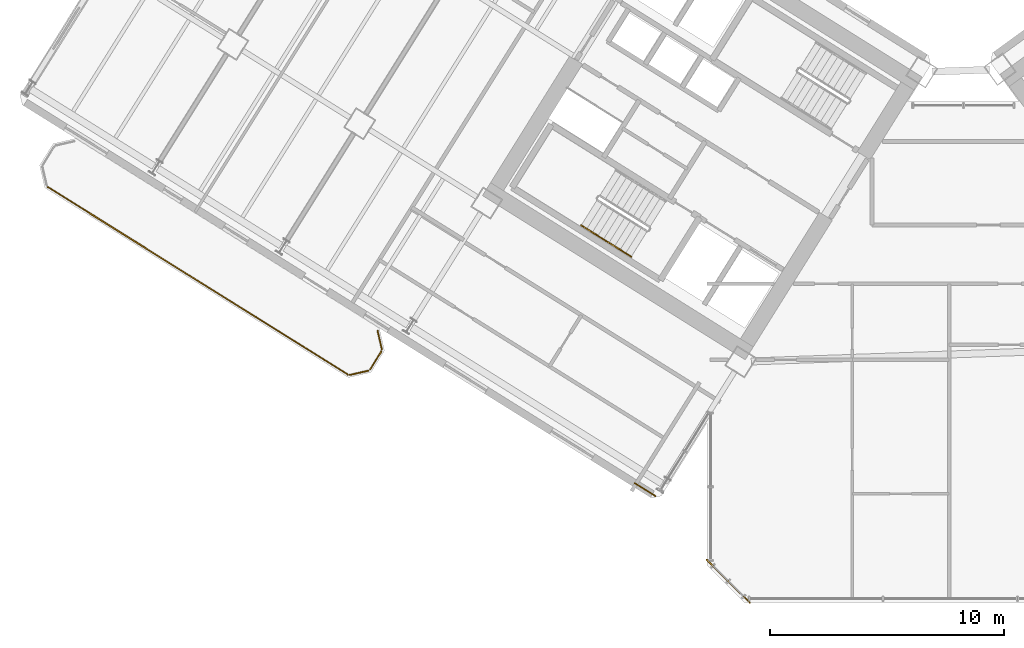
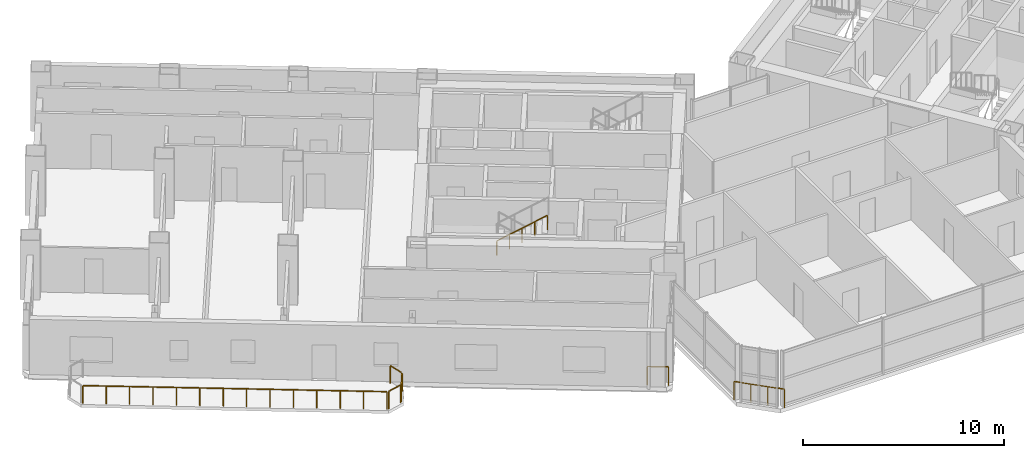
# One storey, part 21 of 24: 8 railings.
"""IFC4 building model written with IfcOpenShell, lengths in metres."""

from ifc_helpers import new_model, si_unit, direction, frame, origin, origin_2d, place, context, subcontext, project, spatial, rectangle, extrude, source, transform, mapped, material, type_object, element, save


model = new_model("IFC4")

# Units and contexts
model_context = context("Model", 3, precision=1e-05, world=origin(), true_north=direction((0.0, 1.0)))
body_context = subcontext(model_context, "Body", "Model", "MODEL_VIEW")
ifc_project = project(units=[si_unit("LENGTHUNIT", "METRE"), si_unit("AREAUNIT", "SQUARE_METRE"), si_unit("VOLUMEUNIT", "CUBIC_METRE"), si_unit("PLANEANGLEUNIT", "RADIAN"), si_unit("MASSUNIT", "GRAM", prefix="KILO")], contexts=[model_context])

# Site, building, storey
site_placement = place(None, origin())
site = spatial("IfcSite", under=ifc_project, at=site_placement, CompositionType="ELEMENT")
building_placement = place(site_placement, origin())
building = spatial("IfcBuilding", under=site, at=building_placement, Name="Tlacorven Tower", CompositionType="ELEMENT")
storey_placement = place(building_placement, frame((0.0, 0.0, 38.39990234375)))
storey = spatial("IfcBuildingStorey", under=building, at=storey_placement, Name="L09", CompositionType="ELEMENT", Elevation=38.39990234375)

# Railings
ifc_material = material(Name="Aluminium and painted steel balustrade", Category="steel")
railing_type_1 = type_object("IfcRailingType", Name="RL-BAL-1100", PredefinedType="BALUSTRADE", material=ifc_material)
shared_shape_1 = source(origin(), body_context, "Body", "SweptSolid", [
    extrude(rectangle(XDim=0.048095703125, YDim=0.048095703125, at=origin_2d()), frame((0.0, 0.0, 1.076171875), z_axis=(0.225058334816, -0.974345290916, 0.0), x_axis=(0.974345290916, 0.225058334816, 0.0)), (0.0, 0.0, 1.0), 0.80712890625),
    extrude(rectangle(XDim=0.0419921875, YDim=0.0419921875, at=origin_2d()), origin(), (0.0, 0.0, 1.0), 1.052001953125),
    extrude(rectangle(XDim=0.0419921875, YDim=0.0419921875, at=origin_2d()), frame((0.181640625, -0.786376953125, 0.0)), (0.0, 0.0, 1.0), 1.052001953125),
])
railing_1_placement = place(storey_placement, frame((17.5244140625, 13.413330078125, 0.0)))
element("IfcRailing", 1, at=railing_1_placement, inside=storey, type_object=railing_type_1, Name="BAL-L09-W-OUT Guard Railing 1", PredefinedType="BALUSTRADE", context=body_context, shape_type="MappedRepresentation", body=[
    mapped(shared_shape_1, transform((0.0, 0.0, 0.0), scale=1.0)),
])
shared_shape_2 = source(origin(), body_context, "Body", "SweptSolid", [
    extrude(rectangle(XDim=0.048095703125, YDim=0.048095703125, at=origin_2d()), frame((0.0, 0.0, 1.076171875), z_axis=(-0.52987865805, -0.848073468364, 0.0), x_axis=(0.848073468364, -0.52987865805, 0.0)), (0.0, 0.0, 1.0), 0.912353515625),
    extrude(rectangle(XDim=0.0419921875, YDim=0.0419921875, at=origin_2d()), origin(), (0.0, 0.0, 1.0), 1.052001953125),
    extrude(rectangle(XDim=0.0419921875, YDim=0.0419921875, at=origin_2d()), frame((-0.4833984375, -0.773681640625, 0.0)), (0.0, 0.0, 1.0), 1.052001953125),
])
railing_2_placement = place(storey_placement, frame((17.690673828125, 12.535888671875, 0.0)))
element("IfcRailing", 2, at=railing_2_placement, inside=storey, type_object=railing_type_1, Name="BAL-L09-W-OUT Guard Railing 2", PredefinedType="BALUSTRADE", context=body_context, shape_type="MappedRepresentation", body=[
    mapped(shared_shape_2, transform((0.0, 0.0, 0.0), scale=1.0)),
])
shared_shape_3 = source(origin(), body_context, "Body", "SweptSolid", [
    extrude(rectangle(XDim=0.048095703125, YDim=0.048095703125, at=origin_2d()), frame((0.0, 0.0, 1.076171875), z_axis=(-0.974411586182, -0.224771129628, 0.0), x_axis=(0.224771129628, -0.974411586182, 0.0)), (0.0, 0.0, 1.0), 0.80712890625),
    extrude(rectangle(XDim=0.0419921875, YDim=0.0419921875, at=origin_2d()), origin(), (0.0, 0.0, 1.0), 1.052001953125),
    extrude(rectangle(XDim=0.0419921875, YDim=0.0419921875, at=origin_2d()), frame((-0.786376953125, -0.181396484375, 0.0)), (0.0, 0.0, 1.0), 1.052001953125),
])
railing_3_placement = place(storey_placement, frame((17.132080078125, 11.70849609375, 0.0)))
element("IfcRailing", 3, at=railing_3_placement, inside=storey, type_object=railing_type_1, Name="BAL-L09-W-OUT Guard Railing 3", PredefinedType="BALUSTRADE", context=body_context, shape_type="MappedRepresentation", body=[
    mapped(shared_shape_3, transform((0.0, 0.0, 0.0), scale=1.0)),
])
shared_shape_4 = source(origin(), body_context, "Body", "SweptSolid", [
    extrude(rectangle(XDim=0.048095703125, YDim=0.048095703125, at=origin_2d()), frame((0.0, 0.0, 1.076171875), z_axis=(-0.848044572804, 0.529924902733, 0.0), x_axis=(-0.529924902733, -0.848044572804, 0.0)), (0.0, 0.0, 1.0), 15.1171875),
    extrude(rectangle(XDim=0.0419921875, YDim=0.0419921875, at=origin_2d()), origin(), (0.0, 0.0, 1.0), 1.052001953125),
    extrude(rectangle(XDim=0.0419921875, YDim=0.0419921875, at=origin_2d()), frame((-0.986083984375, 0.6162109375, 0.0)), (0.0, 0.0, 1.0), 1.052001953125),
    extrude(rectangle(XDim=0.0419921875, YDim=0.0419921875, at=origin_2d()), frame((-1.972412109375, 1.232421875, 0.0)), (0.0, 0.0, 1.0), 1.052001953125),
    extrude(rectangle(XDim=0.0419921875, YDim=0.0419921875, at=origin_2d()), frame((-2.95849609375, 1.8486328125, 0.0)), (0.0, 0.0, 1.0), 1.052001953125),
    extrude(rectangle(XDim=0.0419921875, YDim=0.0419921875, at=origin_2d()), frame((-3.944580078125, 2.46484375, 0.0)), (0.0, 0.0, 1.0), 1.052001953125),
    extrude(rectangle(XDim=0.0419921875, YDim=0.0419921875, at=origin_2d()), frame((-4.930908203125, 3.0810546875, 0.0)), (0.0, 0.0, 1.0), 1.052001953125),
    extrude(rectangle(XDim=0.0419921875, YDim=0.0419921875, at=origin_2d()), frame((-5.9169921875, 3.697265625, 0.0)), (0.0, 0.0, 1.0), 1.052001953125),
    extrude(rectangle(XDim=0.0419921875, YDim=0.0419921875, at=origin_2d()), frame((-6.903076171875, 4.313720703125, 0.0)), (0.0, 0.0, 1.0), 1.052001953125),
    extrude(rectangle(XDim=0.0419921875, YDim=0.0419921875, at=origin_2d()), frame((-7.88916015625, 4.929931640625, 0.0)), (0.0, 0.0, 1.0), 1.052001953125),
    extrude(rectangle(XDim=0.0419921875, YDim=0.0419921875, at=origin_2d()), frame((-8.87548828125, 5.546142578125, 0.0)), (0.0, 0.0, 1.0), 1.052001953125),
    extrude(rectangle(XDim=0.0419921875, YDim=0.0419921875, at=origin_2d()), frame((-9.861572265625, 6.162353515625, 0.0)), (0.0, 0.0, 1.0), 1.052001953125),
    extrude(rectangle(XDim=0.0419921875, YDim=0.0419921875, at=origin_2d()), frame((-10.84765625, 6.778564453125, 0.0)), (0.0, 0.0, 1.0), 1.052001953125),
    extrude(rectangle(XDim=0.0419921875, YDim=0.0419921875, at=origin_2d()), frame((-11.833984375, 7.394775390625, 0.0)), (0.0, 0.0, 1.0), 1.052001953125),
    extrude(rectangle(XDim=0.0419921875, YDim=0.0419921875, at=origin_2d()), frame((-12.820068359375, 8.010986328125, 0.0)), (0.0, 0.0, 1.0), 1.052001953125),
])
railing_4_placement = place(storey_placement, frame((16.254638671875, 11.542236328125, 0.0)))
element("IfcRailing", 4, at=railing_4_placement, inside=storey, type_object=railing_type_1, Name="BAL-L09-W-OUT Guard Railing 4", PredefinedType="BALUSTRADE", context=body_context, shape_type="MappedRepresentation", body=[
    mapped(shared_shape_4, transform((0.0, 0.0, 0.0), scale=1.0)),
])
railing_type_2 = type_object("IfcRailingType", Name="RL-GRD-1150", PredefinedType="GUARDRAIL", material=ifc_material)
shared_shape_5 = source(origin(), body_context, "Body", "SweptSolid", [
    extrude(rectangle(XDim=0.048095703125, YDim=0.048095703125, at=origin_2d()), frame((0.0, 0.0, 1.1259765625), z_axis=(-0.707106781187, 0.707106781187, 0.0), x_axis=(-0.707106781187, -0.707106781187, 0.0)), (0.0, 0.0, 1.0), 2.590087890625),
    extrude(rectangle(XDim=0.0419921875, YDim=0.0419921875, at=origin_2d()), origin(), (0.0, 0.0, 1.0), 1.101806640625),
    extrude(rectangle(XDim=0.0419921875, YDim=0.0419921875, at=origin_2d()), frame((-0.610595703125, 0.610595703125, 0.0)), (0.0, 0.0, 1.0), 1.101806640625),
    extrude(rectangle(XDim=0.0419921875, YDim=0.0419921875, at=origin_2d()), frame((-1.220947265625, 1.220947265625, 0.0)), (0.0, 0.0, 1.0), 1.101806640625),
    extrude(rectangle(XDim=0.0419921875, YDim=0.0419921875, at=origin_2d()), frame((-1.83154296875, 1.83154296875, 0.0)), (0.0, 0.0, 1.0), 1.101806640625),
])
railing_5_placement = place(storey_placement, frame((33.428955078125, 1.79736328125, 0.0)))
element("IfcRailing", 5, at=railing_5_placement, inside=storey, type_object=railing_type_2, Name="L09 Knuckle Glazed Sill Guard 1", PredefinedType="GUARDRAIL", context=body_context, shape_type="MappedRepresentation", body=[
    mapped(shared_shape_5, transform((0.0, 0.0, 0.0), scale=1.0)),
])
shared_shape_6 = source(origin(), body_context, "Body", "SweptSolid", [
    extrude(rectangle(XDim=0.048095703125, YDim=0.048095703125, at=origin_2d()), frame((0.0, 0.0, 1.1259765625), z_axis=(-0.848102774857, 0.529831749973, 0.0), x_axis=(-0.529831749973, -0.848102774857, 0.0)), (0.0, 0.0, 1.0), 1.050048828125),
    extrude(rectangle(XDim=0.0419921875, YDim=0.0419921875, at=origin_2d()), origin(), (0.0, 0.0, 1.0), 1.101806640625),
    extrude(rectangle(XDim=0.0419921875, YDim=0.0419921875, at=origin_2d()), frame((-0.890625, 0.556396484375, 0.0)), (0.0, 0.0, 1.0), 1.101806640625),
])
railing_6_placement = place(storey_placement, frame((29.39501953125, 6.35009765625, 0.0)))
element("IfcRailing", 6, at=railing_6_placement, inside=storey, type_object=railing_type_2, Name="L09 Knuckle Glazed Sill Guard 2", PredefinedType="GUARDRAIL", context=body_context, shape_type="MappedRepresentation", body=[
    mapped(shared_shape_6, transform((0.0, 0.0, 0.0), scale=1.0)),
])
railing_type_3 = type_object("IfcRailingType", Name="RL-HND-0900", PredefinedType="HANDRAIL", material=ifc_material)
shared_shape_7 = source(origin(), body_context, "Body", "SweptSolid", [
    extrude(rectangle(XDim=0.048095703125, YDim=0.048095703125, at=origin_2d()), frame((0.0, 0.0, 0.8759765625), z_axis=(0.713359751793, -0.4457479829, 0.540764828981), x_axis=(0.529911857636, 0.848052724267, 0.0)), (0.0, 0.0, 1.0), 1.498046875),
    extrude(rectangle(XDim=0.0419921875, YDim=0.0419921875, at=origin_2d()), origin(), (0.0, 0.0, 1.0), 0.851806640625),
    extrude(rectangle(XDim=0.0419921875, YDim=0.0419921875, at=origin_2d()), frame((0.5341796875, -0.333984375, 0.405029296875)), (0.0, 0.0, 1.0), 0.851806640625),
    extrude(rectangle(XDim=0.0419921875, YDim=0.0419921875, at=origin_2d()), frame((1.068603515625, -0.667724609375, 0.81005859375)), (0.0, 0.0, 1.0), 0.851806640625),
])
railing_7_placement = place(storey_placement, frame((26.228759765625, 17.915283203125, 1.97998046875)))
element("IfcRailing", 7, at=railing_7_placement, inside=storey, type_object=railing_type_3, Name="L09 ST-W1 stair handrail 3", PredefinedType="HANDRAIL", context=body_context, shape_type="MappedRepresentation", body=[
    mapped(shared_shape_7, transform((0.0, 0.0, 0.0), scale=1.0)),
])
shared_shape_8 = source(origin(), body_context, "Body", "SweptSolid", [
    extrude(rectangle(XDim=0.048095703125, YDim=0.048095703125, at=origin_2d()), frame((0.0, 0.0, 0.8759765625), z_axis=(0.713279695859, -0.445799809912, 0.540827703579), x_axis=(0.529998940003, 0.847998304005, 0.0)), (0.0, 0.0, 1.0), 1.497802734375),
    extrude(rectangle(XDim=0.0419921875, YDim=0.0419921875, at=origin_2d()), origin(), (0.0, 0.0, 1.0), 0.851806640625),
    extrude(rectangle(XDim=0.0419921875, YDim=0.0419921875, at=origin_2d()), frame((0.5341796875, -0.333984375, 0.405029296875)), (0.0, 0.0, 1.0), 0.851806640625),
    extrude(rectangle(XDim=0.0419921875, YDim=0.0419921875, at=origin_2d()), frame((1.068359375, -0.667724609375, 0.81005859375)), (0.0, 0.0, 1.0), 0.851806640625),
])
railing_8_placement = place(storey_placement, frame((27.29736328125, 17.24755859375, 2.7900390625)))
element("IfcRailing", 8, at=railing_8_placement, inside=storey, type_object=railing_type_3, Name="L09 ST-W1 stair handrail 4", PredefinedType="HANDRAIL", context=body_context, shape_type="MappedRepresentation", body=[
    mapped(shared_shape_8, transform((0.0, 0.0, 0.0), scale=1.0)),
])

save(model, "model.ifc")
